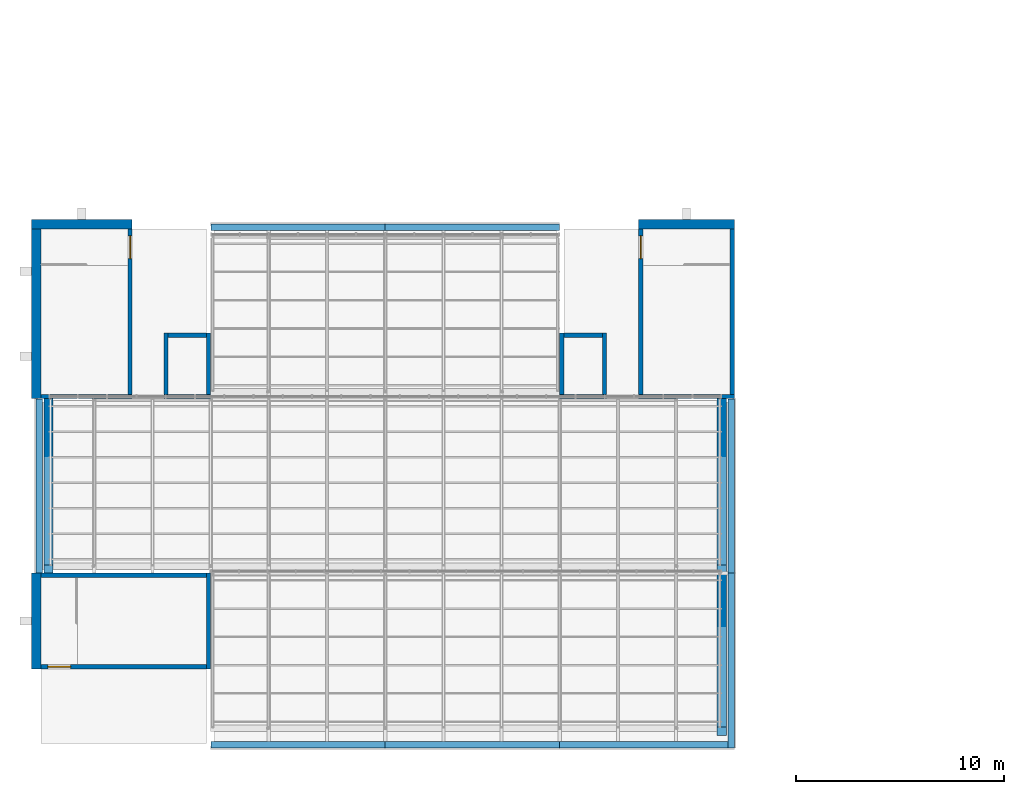
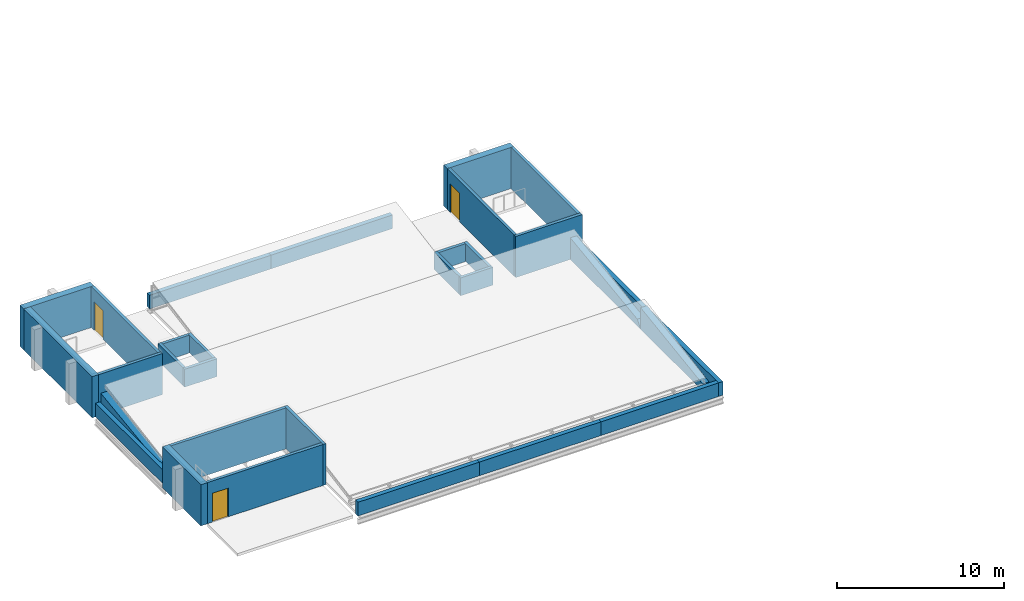
# One storey, part 28 of 42: 31 walls, 3 doors, 3 openings.
"""IFC4 building model written with IfcOpenShell, lengths in metres."""

from ifc_helpers import new_model, si_unit, direction, frame, frame_2d, origin, place, context, subcontext, project, spatial, polyline, rectangle, outline, extrude, material, layer, layer_set, type_object, element, fill, save


model = new_model("IFC4")

# Units and contexts
model_context = context("Model", 3, precision=1e-05, world=origin(), true_north=direction((0.0, 1.0)))
body_context = subcontext(model_context, "Body", "Model", "MODEL_VIEW")
ifc_project = project(units=[si_unit("LENGTHUNIT", "METRE"), si_unit("AREAUNIT", "SQUARE_METRE"), si_unit("VOLUMEUNIT", "CUBIC_METRE"), si_unit("PLANEANGLEUNIT", "RADIAN"), si_unit("MASSUNIT", "GRAM", prefix="KILO")], contexts=[model_context])

# Site, building, storey
site_placement = place(None, origin())
site = spatial("IfcSite", under=ifc_project, at=site_placement, CompositionType="ELEMENT")
building_placement = place(site_placement, origin())
building = spatial("IfcBuilding", under=site, at=building_placement, Name="Ardhachandra Cancer Care Centre", CompositionType="ELEMENT")
storey_placement = place(building_placement, frame((0.0, 0.0, 22.5)))
storey = spatial("IfcBuildingStorey", under=building, at=storey_placement, Name="L05", CompositionType="ELEMENT", Elevation=22.5)

# Walls
ifc_material_1 = material(Name="Brick masonry (clay brick, cement mortar) with Precast Concrete M25 coping", Category="masonry")
ifc_layer_1 = layer(ifc_material_1, 0.300048828125)
ifc_layer_set_1 = layer_set([ifc_layer_1], Name="Brick masonry (clay brick, cement mortar) with Precast Concrete M25 coping")
wall_type_1 = type_object("IfcWallType", Name="Brick parapet 300", PredefinedType="PARAPET", material=ifc_layer_set_1)
wall_1_placement = place(storey_placement, frame((44.25, 71.39990234375, 0.0), z_axis=(0.0, 0.0, 1.0), x_axis=(0.0, 1.0, 0.0)))
element("IfcWall", 1, at=wall_1_placement, inside=storey, type_object=wall_type_1, Name="Parapet V6 L05 1", PredefinedType="PARAPET", context=body_context, shape_type="SweptSolid", body=[
    extrude(rectangle(XDim=8.400146484375, YDim=0.300048828125, at=frame_2d((4.2001953125, 0.0))), origin(), (0.0, 0.0, 1.0), 1.0),
])
wall_2_placement = place(storey_placement, frame((44.25, 79.800048828125, 0.0), z_axis=(0.0, 0.0, 1.0), x_axis=(0.0, 1.0, 0.0)))
element("IfcWall", 2, at=wall_2_placement, inside=storey, type_object=wall_type_1, Name="Parapet V6 L05 2", PredefinedType="PARAPET", context=body_context, shape_type="SweptSolid", body=[
    extrude(rectangle(XDim=8.3798828125, YDim=0.300048828125, at=frame_2d((4.18994140625, 0.0))), origin(), (0.0, 0.0, 1.0), 1.0),
])
wall_3_placement = place(storey_placement, frame((19.219970703125, 96.449951171875, 0.0), z_axis=(0.0, 0.0, 1.0), x_axis=(1.0, 0.0, 0.0)))
element("IfcWall", 3, at=wall_3_placement, inside=storey, type_object=wall_type_1, Name="Parapet V6 L05 3", PredefinedType="PARAPET", context=body_context, shape_type="SweptSolid", body=[
    extrude(rectangle(XDim=8.380126953125, YDim=0.300048828125, at=frame_2d((4.18994140625, 0.0))), origin(), (0.0, 0.0, 1.0), 1.0),
])
wall_4_placement = place(storey_placement, frame((27.60009765625, 96.449951171875, 0.0), z_axis=(0.0, 0.0, 1.0), x_axis=(1.0, 0.0, 0.0)))
element("IfcWall", 4, at=wall_4_placement, inside=storey, type_object=wall_type_1, Name="Parapet V6 L05 4", PredefinedType="PARAPET", context=body_context, shape_type="SweptSolid", body=[
    extrude(rectangle(XDim=8.3798828125, YDim=0.300048828125, at=frame_2d((4.18994140625, 0.0))), origin(), (0.0, 0.0, 1.0), 1.0),
])
wall_5_placement = place(storey_placement, frame((10.949951171875, 79.820068359375, 0.0), z_axis=(0.0, 0.0, 1.0), x_axis=(0.0, 1.0, 0.0)))
element("IfcWall", 5, at=wall_5_placement, inside=storey, type_object=wall_type_1, Name="Parapet V6 L05 5", PredefinedType="PARAPET", context=body_context, shape_type="SweptSolid", body=[
    extrude(rectangle(XDim=8.35986328125, YDim=0.300048828125, at=frame_2d((4.179931640625, 0.0))), origin(), (0.0, 0.0, 1.0), 1.0),
])
wall_6_placement = place(storey_placement, frame((19.219970703125, 71.550048828125, 0.0), z_axis=(0.0, 0.0, 1.0), x_axis=(1.0, 0.0, 0.0)))
element("IfcWall", 6, at=wall_6_placement, inside=storey, type_object=wall_type_1, Name="Parapet V6 L05 6", PredefinedType="PARAPET", context=body_context, shape_type="SweptSolid", body=[
    extrude(rectangle(XDim=8.380126953125, YDim=0.300048828125, at=frame_2d((4.18994140625, 0.0))), origin(), (0.0, 0.0, 1.0), 1.0),
])
wall_7_placement = place(storey_placement, frame((27.60009765625, 71.550048828125, 0.0), z_axis=(0.0, 0.0, 1.0), x_axis=(1.0, 0.0, 0.0)))
element("IfcWall", 7, at=wall_7_placement, inside=storey, type_object=wall_type_1, Name="Parapet V6 L05 7", PredefinedType="PARAPET", context=body_context, shape_type="SweptSolid", body=[
    extrude(rectangle(XDim=8.39990234375, YDim=0.300048828125, at=frame_2d((4.199951171875, 0.0))), origin(), (0.0, 0.0, 1.0), 1.0),
])
wall_8_placement = place(storey_placement, frame((36.0, 71.550048828125, 0.0), z_axis=(0.0, 0.0, 1.0), x_axis=(1.0, 0.0, 0.0)))
element("IfcWall", 8, at=wall_8_placement, inside=storey, type_object=wall_type_1, Name="Parapet V6 L05 8", PredefinedType="PARAPET", context=body_context, shape_type="SweptSolid", body=[
    extrude(rectangle(XDim=8.10009765625, YDim=0.300048828125, at=frame_2d((4.050048828125, 0.0))), origin(), (0.0, 0.0, 1.0), 1.0),
])
ifc_material_2 = material(Name="Concrete M40", Category="concrete")
ifc_layer_2 = layer(ifc_material_2, 0.449951171875)
ifc_layer_set_2 = layer_set([ifc_layer_2], Name="Concrete M40")
wall_type_2 = type_object("IfcWallType", Name="Core exterior wall RC 450", PredefinedType="SOLIDWALL", material=ifc_layer_set_2)
wall_9_placement = place(storey_placement, frame((10.574951171875, 96.60009765625, 0.0), z_axis=(0.0, 0.0, 1.0), x_axis=(1.0, 0.0, 0.0)))
element("IfcWall", 9, at=wall_9_placement, inside=storey, type_object=wall_type_2, Name="Stair head-house wall K4 FAR", PredefinedType="SOLIDWALL", context=body_context, shape_type="SweptSolid", body=[
    extrude(rectangle(XDim=4.85009765625, YDim=0.449951171875, at=frame_2d((2.425048828125, 0.0))), origin(), (0.0, 0.0, 1.0), 3.0),
])
wall_10_placement = place(storey_placement, frame((10.800048828125, 88.199951171875, 0.0), z_axis=(0.0, 0.0, 1.0), x_axis=(0.0, 1.0, 0.0)))
element("IfcWall", 10, at=wall_10_placement, inside=storey, type_object=wall_type_2, Name="Stair head-house wall K4 UW", PredefinedType="SOLIDWALL", context=body_context, shape_type="SweptSolid", body=[
    extrude(rectangle(XDim=8.175048828125, YDim=0.449951171875, at=frame_2d((4.08740234375, 0.0))), origin(), (0.0, 0.0, 1.0), 3.0),
])
wall_11_placement = place(storey_placement, frame((44.39990234375, 96.60009765625, 0.0), z_axis=(0.0, 0.0, 1.0), x_axis=(-1.0, 0.0, 0.0)))
element("IfcWall", 11, at=wall_11_placement, inside=storey, type_object=wall_type_2, Name="Stair head-house wall K5 FAR", PredefinedType="SOLIDWALL", context=body_context, shape_type="SweptSolid", body=[
    extrude(rectangle(XDim=4.599853515625, YDim=0.449951171875, at=frame_2d((2.2998046875, 0.0))), origin(), (0.0, 0.0, 1.0), 3.0),
])
wall_12_placement = place(storey_placement, frame((10.800048828125, 79.800048828125, 0.0), z_axis=(0.0, 0.0, 1.0), x_axis=(0.0, -1.0, 0.0)))
element("IfcWall", 12, at=wall_12_placement, inside=storey, type_object=wall_type_2, Name="Stair head-house wall K6 FAR", PredefinedType="SOLIDWALL", context=body_context, shape_type="SweptSolid", body=[
    extrude(rectangle(XDim=4.60009765625, YDim=0.449951171875, at=frame_2d((2.300048828125, 0.0))), origin(), (0.0, 0.0, 1.0), 3.0),
])
ifc_material_3 = material(Name="Concrete M40", Category="concrete")
ifc_layer_3 = layer(ifc_material_3, 0.199951171875)
ifc_layer_set_3 = layer_set([ifc_layer_3], Name="Concrete M40")
wall_type_3 = type_object("IfcWallType", Name="Core wall RC 200", PredefinedType="SOLIDWALL", material=ifc_layer_set_3)
wall_13_placement = place(storey_placement, frame((11.02490234375, 88.300048828125, 0.0), z_axis=(0.0, 0.0, 1.0), x_axis=(1.0, 0.0, 0.0)))
element("IfcWall", 13, at=wall_13_placement, inside=storey, type_object=wall_type_3, Name="Stair head-house wall K4 ENT", PredefinedType="SOLIDWALL", context=body_context, shape_type="SweptSolid", body=[
    extrude(rectangle(XDim=4.400146484375, YDim=0.199951171875, at=frame_2d((2.2001953125, 0.0))), origin(), (0.0, 0.0, 1.0), 3.0),
])

# Wall, opening, door
wall_14_placement = place(storey_placement, frame((15.324951171875, 88.39990234375, 0.0), z_axis=(0.0, 0.0, 1.0), x_axis=(0.0, 1.0, 0.0)))
wall_14 = element("IfcWall", 14, at=wall_14_placement, inside=storey, type_object=wall_type_3, Name="Stair head-house wall K4 P1", PredefinedType="SOLIDWALL", context=body_context, shape_type="SweptSolid", body=[
    extrude(rectangle(XDim=7.97509765625, YDim=0.199951171875, at=frame_2d((3.987548828125, 0.0))), origin(), (0.0, 0.0, 1.0), 3.0),
])
opening_1_placement = place(wall_14_placement, frame((6.53759765625, 0.0, 0.0)))
opening_1 = element("IfcOpeningElement", 15, at=opening_1_placement, cuts=wall_14, Name="Opening L05-K04-1", PredefinedType="OPENING", context=body_context, shape_type="SweptSolid", body=[
    extrude(rectangle(XDim=1.10009765625, YDim=2.10009765625, at=frame_2d((0.550048828125, 1.050048828125))), frame((0.0, 0.10986328125, 0.0), z_axis=(0.0, -1.0, 0.0), x_axis=(1.0, 0.0, 0.0)), (0.0, 0.0, 1.0), 0.219970703125),
])
ifc_material_4 = material(Name="Steel door set", Category="steel")
door_type = type_object("IfcDoorType", Name="Stair door 1100x2100 FD60S", OperationType="NOTDEFINED", PredefinedType="DOOR", material=ifc_material_4)
door_1_placement = place(opening_1_placement, origin())
door_1 = element("IfcDoor", 16, at=door_1_placement, inside=storey, type_object=door_type, Name="Head-house door", OperationType="SINGLE_SWING_LEFT", OverallHeight=2.10009765625, OverallWidth=1.10009765625, PredefinedType="DOOR", context=body_context, shape_type="SweptSolid", body=[
    extrude(rectangle(XDim=1.10009765625, YDim=2.10009765625, at=frame_2d((0.550048828125, 1.050048828125))), frame((0.0, 0.02490234375, 0.0), z_axis=(0.0, -1.0, 0.0), x_axis=(1.0, 0.0, 0.0)), (0.0, 0.0, 1.0), 0.050048828125),
])
fill(opening_1, door_1)

# Walls
wall_15_placement = place(storey_placement, frame((17.050048828125, 88.39990234375, 0.0), z_axis=(0.0, 0.0, 1.0), x_axis=(0.0, 1.0, 0.0)))
element("IfcWall", 17, at=wall_15_placement, inside=storey, type_object=wall_type_3, Name="Lift overrun wall K4A P2A", PredefinedType="SOLIDWALL", context=body_context, shape_type="SweptSolid", body=[
    extrude(rectangle(XDim=2.9501953125, YDim=0.199951171875, at=frame_2d((1.47509765625, 0.0))), origin(), (0.0, 0.0, 1.0), 1.300048828125),
])
wall_16_placement = place(storey_placement, frame((17.14990234375, 91.25, 0.0), z_axis=(0.0, 0.0, 1.0), x_axis=(1.0, 0.0, 0.0)))
element("IfcWall", 18, at=wall_16_placement, inside=storey, type_object=wall_type_3, Name="Lift overrun wall K4A W1", PredefinedType="SOLIDWALL", context=body_context, shape_type="SweptSolid", body=[
    extrude(rectangle(XDim=1.85009765625, YDim=0.199951171875, at=frame_2d((0.925048828125, 0.0))), origin(), (0.0, 0.0, 1.0), 1.300048828125),
])
wall_17_placement = place(storey_placement, frame((16.949951171875, 88.300048828125, 0.0), z_axis=(0.0, 0.0, 1.0), x_axis=(1.0, 0.0, 0.0)))
element("IfcWall", 19, at=wall_17_placement, inside=storey, type_object=wall_type_3, Name="Lift overrun wall K4A ENT", PredefinedType="SOLIDWALL", context=body_context, shape_type="SweptSolid", body=[
    extrude(rectangle(XDim=2.25, YDim=0.199951171875, at=frame_2d((1.125, 0.0))), origin(), (0.0, 0.0, 1.0), 1.300048828125),
])
wall_18_placement = place(storey_placement, frame((19.10009765625, 88.39990234375, 0.0), z_axis=(0.0, 0.0, 1.0), x_axis=(0.0, 1.0, 0.0)))
element("IfcWall", 20, at=wall_18_placement, inside=storey, type_object=wall_type_3, Name="Lift overrun wall K4A UE", PredefinedType="SOLIDWALL", context=body_context, shape_type="SweptSolid", body=[
    extrude(rectangle(XDim=2.9501953125, YDim=0.199951171875, at=frame_2d((1.47509765625, 0.0))), origin(), (0.0, 0.0, 1.0), 1.300048828125),
])
wall_19_placement = place(storey_placement, frame((44.39990234375, 88.300048828125, 0.0), z_axis=(0.0, 0.0, 1.0), x_axis=(-1.0, 0.0, 0.0)))
element("IfcWall", 21, at=wall_19_placement, inside=storey, type_object=wall_type_3, Name="Stair head-house wall K5 ENT", PredefinedType="SOLIDWALL", context=body_context, shape_type="SweptSolid", body=[
    extrude(rectangle(XDim=4.599853515625, YDim=0.199951171875, at=frame_2d((2.2998046875, 0.0))), origin(), (0.0, 0.0, 1.0), 3.0),
])
wall_20_placement = place(storey_placement, frame((44.300048828125, 88.39990234375, 0.0), z_axis=(0.0, 0.0, 1.0), x_axis=(0.0, 1.0, 0.0)))
element("IfcWall", 22, at=wall_20_placement, inside=storey, type_object=wall_type_3, Name="Stair head-house wall K5 UW", PredefinedType="SOLIDWALL", context=body_context, shape_type="SweptSolid", body=[
    extrude(rectangle(XDim=7.97509765625, YDim=0.199951171875, at=frame_2d((3.987548828125, 0.0))), origin(), (0.0, 0.0, 1.0), 3.0),
])

# Wall, opening, door
wall_21_placement = place(storey_placement, frame((39.89990234375, 88.39990234375, 0.0), z_axis=(0.0, 0.0, 1.0), x_axis=(0.0, 1.0, 0.0)))
wall_21 = element("IfcWall", 23, at=wall_21_placement, inside=storey, type_object=wall_type_3, Name="Stair head-house wall K5 P1", PredefinedType="SOLIDWALL", context=body_context, shape_type="SweptSolid", body=[
    extrude(rectangle(XDim=7.97509765625, YDim=0.199951171875, at=frame_2d((3.987548828125, 0.0))), origin(), (0.0, 0.0, 1.0), 3.0),
])
opening_2_placement = place(wall_21_placement, frame((6.53759765625, 0.0, 0.0)))
opening_2 = element("IfcOpeningElement", 24, at=opening_2_placement, cuts=wall_21, Name="Opening L05-K05-1", PredefinedType="OPENING", context=body_context, shape_type="SweptSolid", body=[
    extrude(rectangle(XDim=1.10009765625, YDim=2.10009765625, at=frame_2d((0.550048828125, 1.050048828125))), frame((0.0, 0.10986328125, 0.0), z_axis=(0.0, -1.0, 0.0), x_axis=(1.0, 0.0, 0.0)), (0.0, 0.0, 1.0), 0.219970703125),
])
door_2_placement = place(opening_2_placement, origin())
door_2 = element("IfcDoor", 25, at=door_2_placement, inside=storey, type_object=door_type, Name="Head-house door", OperationType="SINGLE_SWING_RIGHT", OverallHeight=2.10009765625, OverallWidth=1.10009765625, PredefinedType="DOOR", context=body_context, shape_type="SweptSolid", body=[
    extrude(rectangle(XDim=1.10009765625, YDim=2.10009765625, at=frame_2d((0.550048828125, 1.050048828125))), frame((0.0, 0.02490234375, 0.0), z_axis=(0.0, -1.0, 0.0), x_axis=(1.0, 0.0, 0.0)), (0.0, 0.0, 1.0), 0.050048828125),
])
fill(opening_2, door_2)

# Walls
wall_22_placement = place(storey_placement, frame((38.14990234375, 88.39990234375, 0.0), z_axis=(0.0, 0.0, 1.0), x_axis=(0.0, 1.0, 0.0)))
element("IfcWall", 26, at=wall_22_placement, inside=storey, type_object=wall_type_3, Name="Lift overrun wall K5A P2A", PredefinedType="SOLIDWALL", context=body_context, shape_type="SweptSolid", body=[
    extrude(rectangle(XDim=2.9501953125, YDim=0.199951171875, at=frame_2d((1.47509765625, 0.0))), origin(), (0.0, 0.0, 1.0), 1.300048828125),
])
wall_23_placement = place(storey_placement, frame((38.050048828125, 91.25, 0.0), z_axis=(0.0, 0.0, 1.0), x_axis=(-1.0, 0.0, 0.0)))
element("IfcWall", 27, at=wall_23_placement, inside=storey, type_object=wall_type_3, Name="Lift overrun wall K5A W1", PredefinedType="SOLIDWALL", context=body_context, shape_type="SweptSolid", body=[
    extrude(rectangle(XDim=1.85009765625, YDim=0.199951171875, at=frame_2d((0.925048828125, 0.0))), origin(), (0.0, 0.0, 1.0), 1.300048828125),
])
wall_24_placement = place(storey_placement, frame((38.25, 88.300048828125, 0.0), z_axis=(0.0, 0.0, 1.0), x_axis=(-1.0, 0.0, 0.0)))
element("IfcWall", 28, at=wall_24_placement, inside=storey, type_object=wall_type_3, Name="Lift overrun wall K5A ENT", PredefinedType="SOLIDWALL", context=body_context, shape_type="SweptSolid", body=[
    extrude(rectangle(XDim=2.25, YDim=0.199951171875, at=frame_2d((1.125, 0.0))), origin(), (0.0, 0.0, 1.0), 1.300048828125),
])
wall_25_placement = place(storey_placement, frame((36.10009765625, 88.39990234375, 0.0), z_axis=(0.0, 0.0, 1.0), x_axis=(0.0, 1.0, 0.0)))
element("IfcWall", 29, at=wall_25_placement, inside=storey, type_object=wall_type_3, Name="Lift overrun wall K5A UE", PredefinedType="SOLIDWALL", context=body_context, shape_type="SweptSolid", body=[
    extrude(rectangle(XDim=2.9501953125, YDim=0.199951171875, at=frame_2d((1.47509765625, 0.0))), origin(), (0.0, 0.0, 1.0), 1.300048828125),
])
wall_26_placement = place(storey_placement, frame((19.10009765625, 79.800048828125, 0.0), z_axis=(0.0, 0.0, 1.0), x_axis=(0.0, -1.0, 0.0)))
element("IfcWall", 30, at=wall_26_placement, inside=storey, type_object=wall_type_3, Name="Stair head-house wall K6 ENT", PredefinedType="SOLIDWALL", context=body_context, shape_type="SweptSolid", body=[
    extrude(rectangle(XDim=4.60009765625, YDim=0.199951171875, at=frame_2d((2.300048828125, 0.0))), origin(), (0.0, 0.0, 1.0), 3.0),
])
wall_27_placement = place(storey_placement, frame((19.0, 79.699951171875, 0.0), z_axis=(0.0, 0.0, 1.0), x_axis=(-1.0, 0.0, 0.0)))
element("IfcWall", 31, at=wall_27_placement, inside=storey, type_object=wall_type_3, Name="Stair head-house wall K6 UW", PredefinedType="SOLIDWALL", context=body_context, shape_type="SweptSolid", body=[
    extrude(rectangle(XDim=7.97509765625, YDim=0.199951171875, at=frame_2d((3.987548828125, 0.0))), origin(), (0.0, 0.0, 1.0), 3.0),
])

# Wall, opening, door
wall_28_placement = place(storey_placement, frame((19.0, 75.300048828125, 0.0), z_axis=(0.0, 0.0, 1.0), x_axis=(-1.0, 0.0, 0.0)))
wall_28 = element("IfcWall", 32, at=wall_28_placement, inside=storey, type_object=wall_type_3, Name="Stair head-house wall K6 P1", PredefinedType="SOLIDWALL", context=body_context, shape_type="SweptSolid", body=[
    extrude(rectangle(XDim=7.97509765625, YDim=0.199951171875, at=frame_2d((3.987548828125, 0.0))), origin(), (0.0, 0.0, 1.0), 3.0),
])
opening_3_placement = place(wall_28_placement, frame((6.53759765625, 0.0, 0.0)))
opening_3 = element("IfcOpeningElement", 33, at=opening_3_placement, cuts=wall_28, Name="Opening L05-K06-1", PredefinedType="OPENING", context=body_context, shape_type="SweptSolid", body=[
    extrude(rectangle(XDim=1.10009765625, YDim=2.10009765625, at=frame_2d((0.550048828125, 1.050048828125))), frame((0.0, 0.10986328125, 0.0), z_axis=(0.0, -1.0, 0.0), x_axis=(1.0, 0.0, 0.0)), (0.0, 0.0, 1.0), 0.219970703125),
])
door_3_placement = place(opening_3_placement, origin())
door_3 = element("IfcDoor", 34, at=door_3_placement, inside=storey, type_object=door_type, Name="Head-house door", OperationType="SINGLE_SWING_RIGHT", OverallHeight=2.10009765625, OverallWidth=1.10009765625, PredefinedType="DOOR", context=body_context, shape_type="SweptSolid", body=[
    extrude(rectangle(XDim=1.10009765625, YDim=2.10009765625, at=frame_2d((0.550048828125, 1.050048828125))), frame((0.0, 0.02490234375, 0.0), z_axis=(0.0, -1.0, 0.0), x_axis=(1.0, 0.0, 0.0)), (0.0, 0.0, 1.0), 0.050048828125),
])
fill(opening_3, door_3)

# Walls
ifc_material_5 = material(Name="Brick masonry (clay brick, cement mortar) with mineral wool cavity insulation", Category="masonry")
ifc_layer_4 = layer(ifc_material_5, 0.449951171875)
ifc_layer_set_4 = layer_set([ifc_layer_4], Name="Brick masonry (clay brick, cement mortar) with mineral wool cavity insulation")
wall_type_4 = type_object("IfcWallType", Name="Gable infill wall 450", PredefinedType="SOLIDWALL", material=ifc_layer_set_4)
wall_29_placement = place(storey_placement, frame((43.800048828125, 72.0, 0.0), z_axis=(0.0, 0.0, 1.0), x_axis=(0.0, 1.0, 0.0)))
element("IfcWall", 35, at=wall_29_placement, inside=storey, type_object=wall_type_4, Name="Tooth end wall NT1a e", PredefinedType="SOLIDWALL", context=body_context, shape_type="SweptSolid", body=[
    extrude(outline(polyline([(0.0, 0.0), (7.800048828125, 0.0), (7.800048828125, 1.580078125), (0.39990234375, 0.5), (0.0, 0.0)])), frame((0.0, 0.22509765625, 0.0), z_axis=(0.0, -1.0, 0.0), x_axis=(1.0, 0.0, 0.0)), (0.0, 0.0, 1.0), 0.449951171875),
])
for number, where, z_axis, x_axis, name in (
    (36, (11.39990234375, 79.800048828125, 0.0), (0.0, 0.0, 1.0), (0.0, 1.0, 0.0), "Tooth end wall NT2a w"),
    (37, (43.800048828125, 79.800048828125, 0.0), (0.0, 0.0, 1.0), (0.0, 1.0, 0.0), "Tooth end wall NT2a e"),
):
    element("IfcWall", number, at=place(storey_placement, frame(where, z_axis=z_axis, x_axis=x_axis)), inside=storey, type_object=wall_type_4, Name=name, PredefinedType="SOLIDWALL", context=body_context, shape_type="SweptSolid", body=[
        extrude(outline(polyline([(0.0, 0.0), (8.39990234375, 0.0), (8.39990234375, 1.580078125), (0.39990234375, 0.5), (0.0, 0.0)])), frame((0.0, 0.22509765625, 0.0), z_axis=(0.0, -1.0, 0.0), x_axis=(1.0, 0.0, 0.0)), (0.0, 0.0, 1.0), 0.449951171875),
    ])

save(model, "model.ifc")
